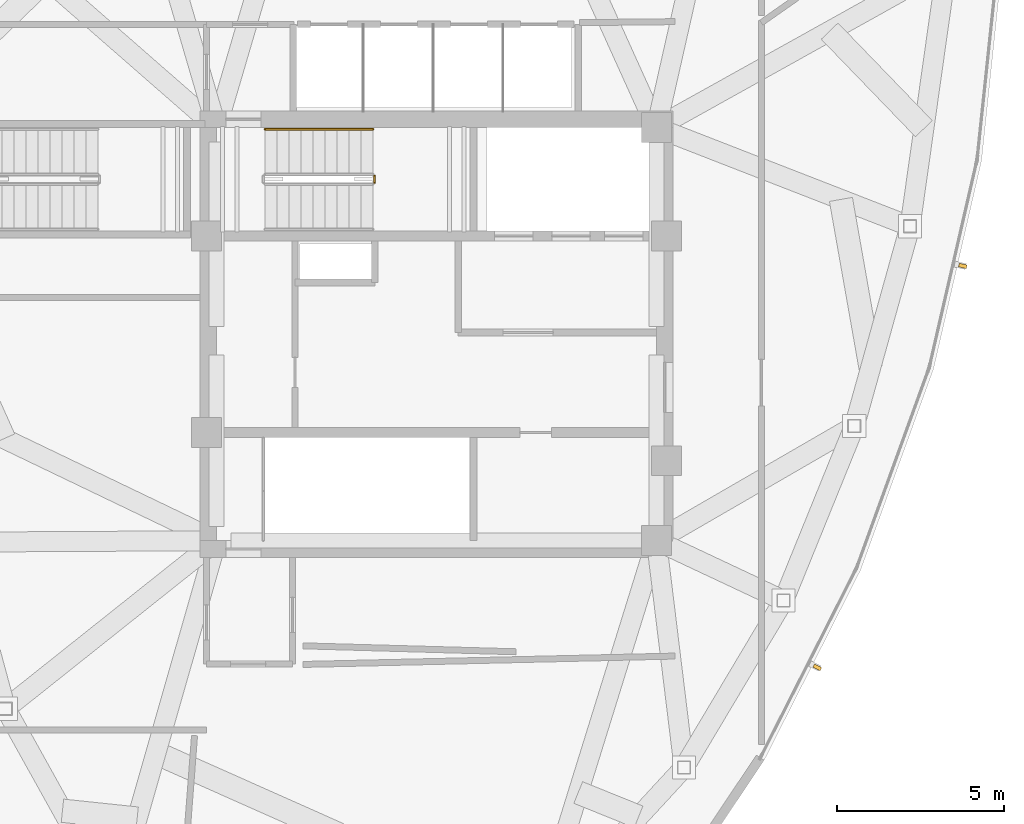
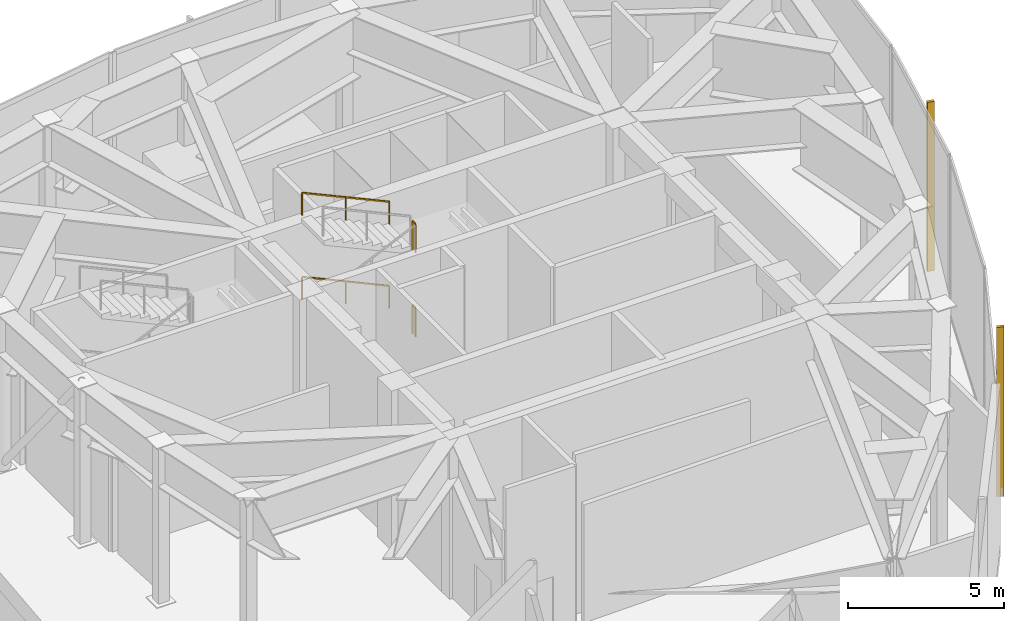
# One storey, part 12 of 13: 4 railings, 2 shading devices.
"""IFC4 building model written with IfcOpenShell, lengths in metres."""

import ifcopenshell
import ifcopenshell.guid

model = None  # the IFC model being written
_history = None  # IfcOwnerHistory: only IFC2X3 demands one
_inside = {}  # id of a spatial element -> (the spatial element, [elements in it])
_under = {}  # id of a project, library or spatial element -> (it, [spatial elements below it])
_declared = {}  # id of a project -> (the project, [libraries it declares])
_typed = {}  # id of a type object -> (the type object, [elements of that type])
_made_of = {}  # id of a material, layer set ... -> (it, [elements and type objects made of it])


def new_model(schema):
    """Start an empty IFC model of exactly this schema.

    Asked for "IFC4X3", IfcOpenShell would pick the latest addendum, in which some entities
    have other attributes; the version numbers below select the first issue.
    IFC2X3 requires an IfcOwnerHistory on every rooted entity: one is made here for all.
    """
    global model, _history
    if schema == "IFC4X3":
        model = ifcopenshell.file(schema_version=(4, 3, 0, 0))
    else:
        model = ifcopenshell.file(schema=schema)
    _inside.clear()
    _under.clear()
    _declared.clear()
    _typed.clear()
    _made_of.clear()
    _history = None
    if model.schema == "IFC2X3":
        org = make("IfcOrganization", Name="unknown")
        user = make(
            "IfcPersonAndOrganization",
            ThePerson=make("IfcPerson", FamilyName="unknown"),
            TheOrganization=org,
        )
        app = make(
            "IfcApplication",
            ApplicationDeveloper=org,
            Version="unknown",
            ApplicationFullName="unknown",
            ApplicationIdentifier="unknown",
        )
        _history = make(
            "IfcOwnerHistory",
            OwningUser=user,
            OwningApplication=app,
            ChangeAction="ADDED",
            CreationDate=0,
        )
    return model


def make(cls, **values):
    """One entity of the class cls with the attributes given. An attribute that is None is left unset."""
    return model.create_entity(
        cls, **{name: value for name, value in values.items() if value is not None}
    )


def rooted(cls, **values):
    """An entity with a GlobalId (a new one), such as an element, a storey or a relation."""
    return make(cls, GlobalId=ifcopenshell.guid.new(), OwnerHistory=_history, **values)


def si_unit(unit_type, name, prefix=None):
    """IfcSIUnit, for example si_unit("LENGTHUNIT", "METRE", prefix="MILLI")."""
    return make("IfcSIUnit", UnitType=unit_type, Prefix=prefix, Name=name)


def assignment(units):
    """IfcUnitAssignment: the units of a project."""
    return None if units is None else make("IfcUnitAssignment", Units=units)


def point(xyz):
    """IfcCartesianPoint."""
    return None if xyz is None else make("IfcCartesianPoint", Coordinates=xyz)


def direction(xyz):
    """IfcDirection."""
    return None if xyz is None else make("IfcDirection", DirectionRatios=xyz)


def frame(location, z_axis=None, x_axis=None):
    """IfcAxis2Placement3D, a coordinate frame: its origin and axes. An axis left out is left unset."""
    return make(
        "IfcAxis2Placement3D",
        Location=point(location),
        Axis=direction(z_axis),
        RefDirection=direction(x_axis),
    )


def frame_2d(location, x_axis=None):
    """IfcAxis2Placement2D, a coordinate frame in the plane: its origin and x axis."""
    return make(
        "IfcAxis2Placement2D", Location=point(location), RefDirection=direction(x_axis)
    )


def origin():
    """The frame at (0, 0, 0) with its axes left unset."""
    return frame((0.0, 0.0, 0.0))


def origin_2d():
    """The frame at (0, 0) in the plane with its x axis left unset."""
    return frame_2d((0.0, 0.0))


def place(relative_to, where):
    """IfcLocalPlacement: puts the frame where relative to a parent placement (None: the world)."""
    return make(
        "IfcLocalPlacement", PlacementRelTo=relative_to, RelativePlacement=where
    )


def context(
    kind, dimensions, precision=None, world=None, true_north=None, identifier=None
):
    """IfcGeometricRepresentationContext, for example the 3D "Model" context."""
    return make(
        "IfcGeometricRepresentationContext",
        ContextIdentifier=identifier,
        ContextType=kind,
        CoordinateSpaceDimension=dimensions,
        Precision=precision,
        WorldCoordinateSystem=world,
        TrueNorth=true_north,
    )


def subcontext(parent, identifier, kind, view, scale=None):
    """IfcGeometricRepresentationSubContext, for example "Body" below "Model"."""
    return make(
        "IfcGeometricRepresentationSubContext",
        ContextIdentifier=identifier,
        ContextType=kind,
        ParentContext=parent,
        TargetScale=scale,
        TargetView=view,
    )


def project(units=None, contexts=None):
    """IfcProject with its units and contexts."""
    return rooted(
        "IfcProject",
        Name="project",
        RepresentationContexts=contexts,
        UnitsInContext=assignment(units),
    )


def spatial(cls, under=None, at=None, **own):
    """A site, building, storey or space (cls), placed at a placement, below another one or the project."""
    s = rooted(cls, ObjectPlacement=at, **own)
    if under is not None:
        _under.setdefault(under.id(), (under, []))[1].append(s)
    return s


def profile(cls, at=None, kind="AREA", **sizes):
    """A parametric profile (cls). Its sizes go by their IFC names, for example OverallWidth=200.0."""
    return make(cls, ProfileType=kind, Position=at, **sizes)


def rectangle(**sizes):
    """IfcRectangleProfileDef."""
    return profile("IfcRectangleProfileDef", **sizes)


def extrude(swept, where, along, depth):
    """IfcExtrudedAreaSolid: the profile swept, set in the frame where, extruded along a direction by depth."""
    return make(
        "IfcExtrudedAreaSolid",
        SweptArea=swept,
        Position=where,
        ExtrudedDirection=direction(along),
        Depth=depth,
    )


def shape(context_of_items, identifier, shape_type, items):
    """IfcShapeRepresentation: the items that make up one representation, for example the "Body"."""
    return make(
        "IfcShapeRepresentation",
        ContextOfItems=context_of_items,
        RepresentationIdentifier=identifier,
        RepresentationType=shape_type,
        Items=items,
    )


def source(mapping_origin, context_of_items, identifier, shape_type, items):
    """IfcRepresentationMap: a shape defined once, which mapped items show again and again."""
    return make(
        "IfcRepresentationMap",
        MappingOrigin=mapping_origin,
        MappedRepresentation=shape(context_of_items, identifier, shape_type, items),
    )


def transform(
    local_origin,
    x_axis=None,
    y_axis=None,
    z_axis=None,
    scale=None,
    scale2=None,
    scale3=None,
    uniform=True,
):
    """IfcCartesianTransformationOperator3D, or its non-uniform kind. x_axis, y_axis, z_axis: its Axis1, 2, 3."""
    if uniform:
        return make(
            "IfcCartesianTransformationOperator3D",
            Axis1=direction(x_axis),
            Axis2=direction(y_axis),
            LocalOrigin=point(local_origin),
            Scale=scale,
            Axis3=direction(z_axis),
        )
    return make(
        "IfcCartesianTransformationOperator3DnonUniform",
        Axis1=direction(x_axis),
        Axis2=direction(y_axis),
        LocalOrigin=point(local_origin),
        Scale=scale,
        Axis3=direction(z_axis),
        Scale2=scale2,
        Scale3=scale3,
    )


def mapped(mapping_source, mapping_target):
    """IfcMappedItem: shows the shape of a source again, moved by a transform."""
    return make(
        "IfcMappedItem", MappingSource=mapping_source, MappingTarget=mapping_target
    )


def material(Name=None, Category=None):
    """IfcMaterial."""
    return make("IfcMaterial", Name=Name, Category=Category)


def made_of(thing, what):
    """Note that an element or type object is made of a material, layer set ...; save() writes the relation."""
    if what is not None:
        _made_of.setdefault(what.id(), (what, []))[1].append(thing)
    return thing


def type_object(cls, material=None, **own):
    """A type object (cls), such as IfcWallType, which elements share."""
    return made_of(rooted(cls, **own), material)


def type_shapes(of_type, sources):
    """Give a type object the sources (RepresentationMaps) that its elements show as mapped items."""
    of_type.RepresentationMaps = sources


def element(
    cls,
    number,
    at=None,
    inside=None,
    cuts=None,
    type_object=None,
    material=None,
    context=None,
    identifier="Body",
    shape_type=None,
    held_by="IfcProductDefinitionShape",
    body=None,
    shapes=None,
    **own,
):
    """One element of the class cls, such as IfcWall. Its Tag is "e" and its number.

    at: its placement. inside: the storey or other place that contains it. cuts: it is an
    opening in that element (IfcRelVoidsElement). A single representation is given by context,
    identifier, shape_type and body (its items); several are given by shapes. held_by: the class
    of the entity that holds the representations. save() writes the other relations.
    """
    e = rooted(cls, Tag="e%d" % number, ObjectPlacement=at, **own)
    if body is not None:
        shapes = [shape(context, identifier, shape_type, body)]
    if shapes is not None:
        e.Representation = make(held_by, Representations=shapes)
    if inside is not None:
        _inside.setdefault(inside.id(), (inside, []))[1].append(e)
    if cuts is not None:
        rooted(
            "IfcRelVoidsElement", RelatingBuildingElement=cuts, RelatedOpeningElement=e
        )
    if type_object is not None:
        _typed.setdefault(type_object.id(), (type_object, []))[1].append(e)
    return made_of(e, material)


def aggregate(whole, parts):
    """IfcRelAggregates: a whole, such as a stair, and the parts it consists of."""
    return rooted("IfcRelAggregates", RelatingObject=whole, RelatedObjects=parts)


def save(model, path):
    """Write the relations noted so far, then the file.

    IfcRelAggregates (storeys below a building ...), IfcRelContainedInSpatialStructure (elements
    in a storey), IfcRelDefinesByType, IfcRelAssociatesMaterial and IfcRelDeclares: one each for
    every whole, place, type object, material and project.
    """
    for whole, parts in _under.values():
        aggregate(whole, parts)
    for where, things in _inside.values():
        rooted(
            "IfcRelContainedInSpatialStructure",
            RelatedElements=things,
            RelatingStructure=where,
        )
    for kind, things in _typed.values():
        rooted("IfcRelDefinesByType", RelatedObjects=things, RelatingType=kind)
    for what, things in _made_of.values():
        rooted("IfcRelAssociatesMaterial", RelatedObjects=things, RelatingMaterial=what)
    for by, libraries in _declared.values():
        rooted("IfcRelDeclares", RelatingContext=by, RelatedDefinitions=libraries)
    model.write(path)


model = new_model("IFC4")

# Units and contexts
model_context = context("Model", 3, precision=1e-05, world=origin(), true_north=direction((0.0, 1.0)))
body_context = subcontext(model_context, "Body", "Model", "MODEL_VIEW")
ifc_project = project(units=[si_unit("LENGTHUNIT", "METRE"), si_unit("AREAUNIT", "SQUARE_METRE"), si_unit("VOLUMEUNIT", "CUBIC_METRE"), si_unit("PLANEANGLEUNIT", "RADIAN"), si_unit("MASSUNIT", "GRAM", prefix="KILO")], contexts=[model_context])

# Site, building, storey
site_placement = place(None, origin())
site = spatial("IfcSite", under=ifc_project, at=site_placement, CompositionType="ELEMENT")
building_placement = place(site_placement, origin())
building = spatial("IfcBuilding", under=site, at=building_placement, Name="Tavelor Broadcast Tower", CompositionType="ELEMENT")
storey_placement = place(building_placement, frame((0.0, 0.0, 325.5)))
storey = spatial("IfcBuildingStorey", under=building, at=storey_placement, Name="L78", CompositionType="ELEMENT", Elevation=325.5)

# Railings
ifc_material_1 = material(Name="Steel S355", Category="steel")
railing_type_1 = type_object("IfcRailingType", Name="Continuous Brushed Stainless Handrail 900 mm", PredefinedType="HANDRAIL", material=ifc_material_1)
for number, where, name in (
    (1, (48.090087890625, 51.14990234375, 1.81494140625), "L78 ST1 stair handrail 2"),
    (2, (48.090087890625, 51.14990234375, 5.114990234375), "L78 ST1 stair handrail 4"),
):
    element("IfcRailing", number, at=place(storey_placement, frame(where)), inside=storey, type_object=railing_type_1, Name=name, PredefinedType="HANDRAIL", context=body_context, shape_type="SweptSolid", body=[
        extrude(rectangle(XDim=0.048095703125, YDim=0.048095703125, at=origin_2d()), frame((0.0, 0.0, 0.8759765625), z_axis=(-0.909052930984, 0.0, 0.416680655503), x_axis=(0.0, -1.0, 0.0)), (0.0, 0.0, 1.0), 3.564208984375),
        extrude(rectangle(XDim=0.0419921875, YDim=0.0419921875, at=origin_2d()), origin(), (0.0, 0.0, 1.0), 0.851806640625),
        extrude(rectangle(XDim=0.0419921875, YDim=0.0419921875, at=origin_2d()), frame((-1.6201171875, 0.0, 0.74267578125)), (0.0, 0.0, 1.0), 0.851806640625),
        extrude(rectangle(XDim=0.0419921875, YDim=0.0419921875, at=origin_2d()), frame((-3.239990234375, 0.0, 1.485107421875)), (0.0, 0.0, 1.0), 0.851806640625),
    ])
railing_type_2 = type_object("IfcRailingType", Name="Stairwell Steel Safety Guardrail 1150 mm", PredefinedType="GUARDRAIL", material=ifc_material_1)
for number, where, name in (
    (3, (48.139892578125, 49.550048828125, 1.64990234375), "L78 ST1 stair guard 2"),
    (4, (48.139892578125, 49.550048828125, 4.949951171875), "L78 ST1 stair guard 6"),
):
    element("IfcRailing", number, at=place(storey_placement, frame(where)), inside=storey, type_object=railing_type_2, Name=name, PredefinedType="GUARDRAIL", context=body_context, shape_type="SweptSolid", body=[
        extrude(rectangle(XDim=0.048095703125, YDim=0.048095703125, at=origin_2d()), frame((0.0, 0.0, 1.1259765625), z_axis=(0.0, 1.0, 0.0), x_axis=(-1.0, 0.0, 0.0)), (0.0, 0.0, 1.0), 0.199951171875),
        extrude(rectangle(XDim=0.0419921875, YDim=0.0419921875, at=origin_2d()), origin(), (0.0, 0.0, 1.0), 1.101806640625),
        extrude(rectangle(XDim=0.0419921875, YDim=0.0419921875, at=origin_2d()), frame((0.0, 0.199951171875, 0.0)), (0.0, 0.0, 1.0), 1.101806640625),
    ])

# Shading devices
ifc_material_2 = material(Name="Kiln-Fired Glazed Terracotta", Category="masonry")
shading_device_type = type_object("IfcShadingDeviceType", Name="Extruded Terracotta Baguette Sun-Screen 110x240", PredefinedType="JALOUSIE", material=ifc_material_2)
shared_shape = source(origin(), body_context, "Body", "SweptSolid", [
    extrude(rectangle(XDim=0.110107421875, YDim=0.239990234375, at=origin_2d()), origin(), (0.0, 0.0, 1.0), 6.639892578125),
])
type_shapes(shading_device_type, [shared_shape])
for number, where, z_axis, x_axis, name in (
    (5, (61.429931640625, 34.998291015625, -0.41015625), (0.0, 0.0, 1.0), (0.45196770322, 0.892034301609, 0.0), "L78 Terracotta Baguette Fin 741"),
    (6, (65.797607421875, 47.047607421875, -0.41015625), (0.0, 0.0, 1.0), (0.224440844558, 0.974487715312, 0.0), "L78 Terracotta Baguette Fin 742"),
):
    element("IfcShadingDevice", number, at=place(storey_placement, frame(where, z_axis=z_axis, x_axis=x_axis)), inside=storey, type_object=shading_device_type, Name=name, PredefinedType="JALOUSIE", context=body_context, shape_type="MappedRepresentation", body=[
        mapped(shared_shape, transform((0.0, 0.0, 0.0), scale=1.0)),
    ])

save(model, "model.ifc")
